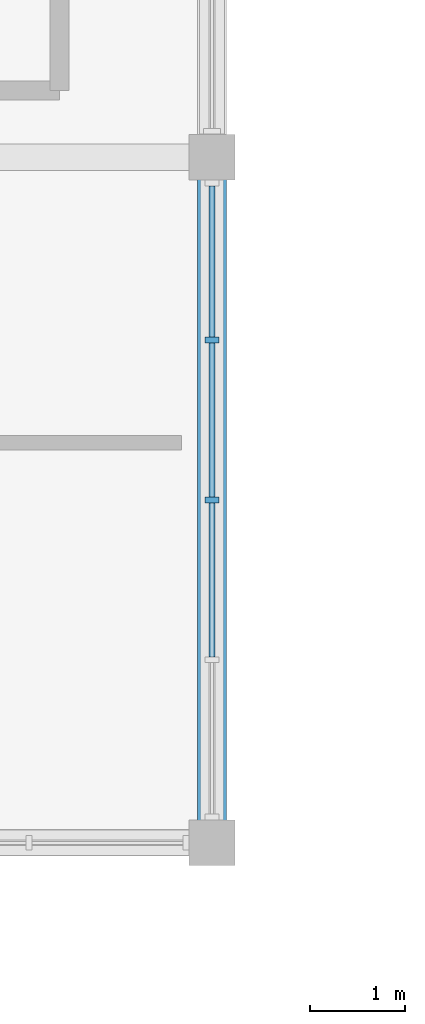
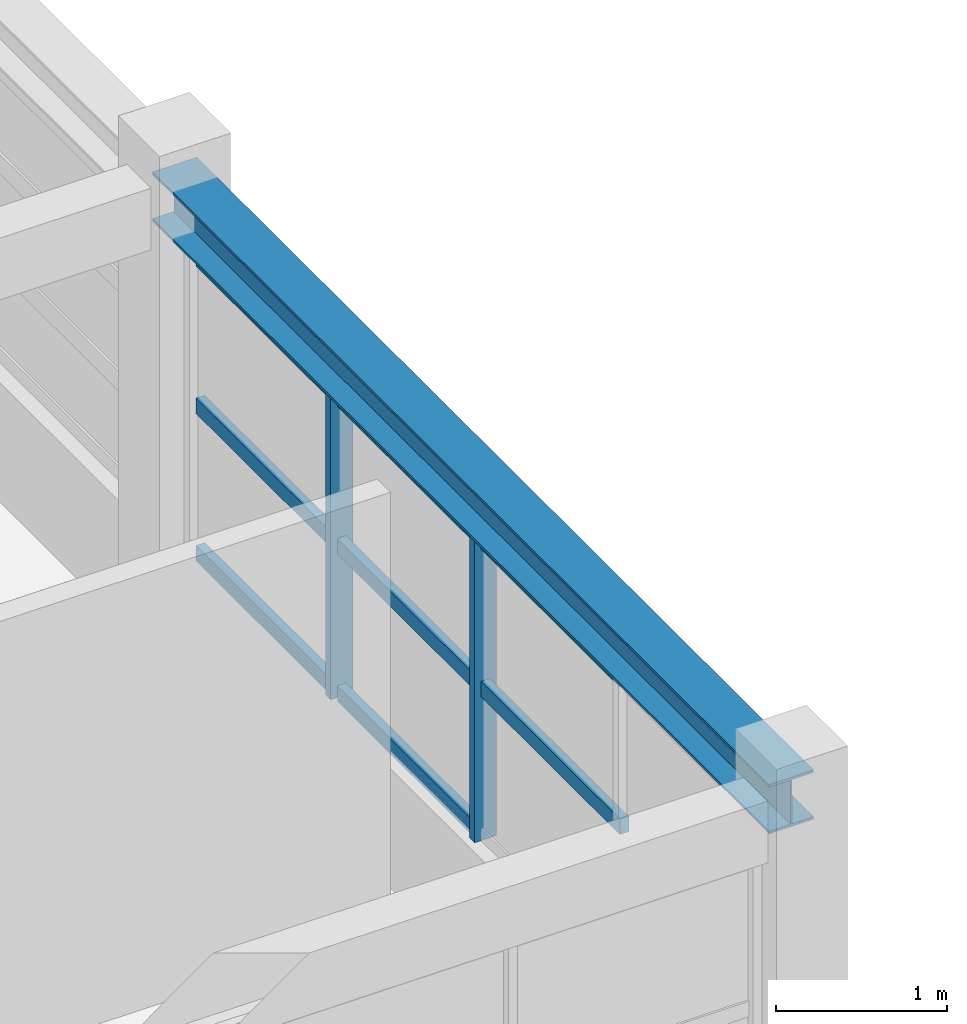
# One storey, part 10 of 53: 10 members, 1 beam, 1 element without a shape of its own.
"""IFC4 building model written with IfcOpenShell, lengths in metres."""

from ifc_helpers import new_model, si_unit, direction, frame, origin, origin_2d, place, context, subcontext, project, spatial, rectangle, i_section, extrude, material, material_profile, profile_set, type_object, element, aggregate, save


model = new_model("IFC4")

# Units and contexts
model_context = context("Model", 3, precision=1e-05, world=origin(), true_north=direction((0.0, 1.0)))
body_context = subcontext(model_context, "Body", "Model", "MODEL_VIEW")
ifc_project = project(units=[si_unit("LENGTHUNIT", "METRE"), si_unit("AREAUNIT", "SQUARE_METRE"), si_unit("VOLUMEUNIT", "CUBIC_METRE"), si_unit("PLANEANGLEUNIT", "RADIAN"), si_unit("MASSUNIT", "GRAM", prefix="KILO")], contexts=[model_context])

# Site, building, storey
site_placement = place(None, origin())
site = spatial("IfcSite", under=ifc_project, at=site_placement, CompositionType="ELEMENT")
building_placement = place(site_placement, origin())
building = spatial("IfcBuilding", under=site, at=building_placement, Name="Nzembalo Square Collegiate School", CompositionType="ELEMENT")
storey_placement = place(building_placement, frame((0.0, 0.0, 13.60009765625)))
storey = spatial("IfcBuildingStorey", under=building, at=storey_placement, Name="L03", CompositionType="ELEMENT", Elevation=13.60009765625)

# Beam
ifc_material_1 = material(Name="Steel S355", Category="steel")
ifc_material_profile_1 = material_profile(ifc_material_1, i_section(OverallWidth=0.300048828125, OverallDepth=0.35009765625, WebThickness=0.010009765625, FlangeThickness=0.017578125, at=origin_2d()), Name="HEA 360")
ifc_profile_set_1 = profile_set([ifc_material_profile_1], Name="Steel S355")
beam_type = type_object("IfcBeamType", Name="B12", PredefinedType="BEAM", material=ifc_profile_set_1)
beam_placement = place(storey_placement, frame((91.199951171875, 97.199951171875, 3.27978515625), z_axis=(0.0, 1.0, 0.0), x_axis=(-1.0, 0.0, 0.0)))
element("IfcBeam", 1, at=beam_placement, inside=storey, type_object=beam_type, Name="Beam B12 L03", PredefinedType="BEAM", context=body_context, shape_type="SweptSolid", body=[
    extrude(i_section(OverallWidth=0.300048828125, OverallDepth=0.35009765625, WebThickness=0.010009765625, FlangeThickness=0.017578125, at=origin_2d()), origin(), (0.0, 0.0, 1.0), 7.199951171875),
])

# Curtain wall, members
ifc_material_2 = material(Name="Aluminium 6060-T66", Category="aluminium")
curtain_wall_type = type_object("IfcCurtainWallType", Name="CW-04", PredefinedType="USERDEFINED", material=ifc_material_2)
curtain_wall_placement = place(storey_placement, origin())
curtain_wall = element("IfcCurtainWall", 2, at=curtain_wall_placement, inside=storey, type_object=curtain_wall_type, Name="Curtain wall CW-04 cw:L03:131", ObjectType="UNITISED", PredefinedType="USERDEFINED")
ifc_material_3 = material(Name="Aluminium 6060-T66", Category="aluminium")
ifc_material_profile_2 = material_profile(ifc_material_3, rectangle(XDim=0.06005859375, YDim=0.14990234375, at=origin_2d()), Name="ALU M60x150")
ifc_profile_set_2 = profile_set([ifc_material_profile_2], Name="Aluminium 6060-T66")
member_type_1 = type_object("IfcMemberType", Name="ML02", PredefinedType="MULLION", material=ifc_profile_set_2)
member_1_placement = place(storey_placement, frame((91.199951171875, 100.800048828125, 0.849853515625), z_axis=(0.0, 0.0, 1.0), x_axis=(0.0, 1.0, 0.0)))
member_1 = element("IfcMember", 3, at=member_1_placement, type_object=member_type_1, Name="ML02 mullion 3", PredefinedType="MULLION", context=body_context, shape_type="SweptSolid", body=[
    extrude(rectangle(XDim=0.06005859375, YDim=0.14990234375, at=origin_2d()), origin(), (0.0, 0.0, 1.0), 2.158935546875),
])
member_2_placement = place(storey_placement, frame((91.199951171875, 102.47900390625, 0.849853515625), z_axis=(0.0, 0.0, 1.0), x_axis=(0.0, 1.0, 0.0)))
member_2 = element("IfcMember", 4, at=member_2_placement, type_object=member_type_1, Name="ML02 mullion 4", PredefinedType="MULLION", context=body_context, shape_type="SweptSolid", body=[
    extrude(rectangle(XDim=0.06005859375, YDim=0.14990234375, at=origin_2d()), origin(), (0.0, 0.0, 1.0), 2.158935546875),
])
ifc_material_4 = material(Name="Aluminium 6060-T66", Category="aluminium")
ifc_material_profile_3 = material_profile(ifc_material_4, rectangle(XDim=0.06005859375, YDim=0.110107421875, at=origin_2d()), Name="ALU T60x110")
ifc_profile_set_3 = profile_set([ifc_material_profile_3], Name="Aluminium 6060-T66")
member_type_2 = type_object("IfcMemberType", Name="TR02", PredefinedType="USERDEFINED", material=ifc_profile_set_3)
member_3_placement = place(storey_placement, frame((91.199951171875, 100.830078125, 0.8798828125), z_axis=(0.0, 1.0, 0.0), x_axis=(-1.0, 0.0, 0.0)))
member_3 = element("IfcMember", 5, at=member_3_placement, type_object=member_type_2, Name="TR02 transom 1-3", ObjectType="TRANSOM", PredefinedType="USERDEFINED", context=body_context, shape_type="SweptSolid", body=[
    extrude(rectangle(XDim=0.06005859375, YDim=0.110107421875, at=origin_2d()), origin(), (0.0, 0.0, 1.0), 1.618896484375),
])
member_4_placement = place(storey_placement, frame((91.199951171875, 102.509033203125, 0.8798828125), z_axis=(0.0, 1.0, 0.0), x_axis=(-1.0, 0.0, 0.0)))
member_4 = element("IfcMember", 6, at=member_4_placement, type_object=member_type_2, Name="TR02 transom 1-4", ObjectType="TRANSOM", PredefinedType="USERDEFINED", context=body_context, shape_type="SweptSolid", body=[
    extrude(rectangle(XDim=0.06005859375, YDim=0.110107421875, at=origin_2d()), origin(), (0.0, 0.0, 1.0), 1.5888671875),
])
member_5_placement = place(storey_placement, frame((91.199951171875, 99.15087890625, 1.929443359375), z_axis=(0.0, 1.0, 0.0), x_axis=(-1.0, 0.0, 0.0)))
member_5 = element("IfcMember", 7, at=member_5_placement, type_object=member_type_2, Name="TR02 transom 2-2", ObjectType="TRANSOM", PredefinedType="USERDEFINED", context=body_context, shape_type="SweptSolid", body=[
    extrude(rectangle(XDim=0.06005859375, YDim=0.110107421875, at=origin_2d()), origin(), (0.0, 0.0, 1.0), 1.619140625),
])
member_6_placement = place(storey_placement, frame((91.199951171875, 100.830078125, 1.929443359375), z_axis=(0.0, 1.0, 0.0), x_axis=(-1.0, 0.0, 0.0)))
member_6 = element("IfcMember", 8, at=member_6_placement, type_object=member_type_2, Name="TR02 transom 2-3", ObjectType="TRANSOM", PredefinedType="USERDEFINED", context=body_context, shape_type="SweptSolid", body=[
    extrude(rectangle(XDim=0.06005859375, YDim=0.110107421875, at=origin_2d()), origin(), (0.0, 0.0, 1.0), 1.618896484375),
])
member_7_placement = place(storey_placement, frame((91.199951171875, 102.509033203125, 1.929443359375), z_axis=(0.0, 1.0, 0.0), x_axis=(-1.0, 0.0, 0.0)))
member_7 = element("IfcMember", 9, at=member_7_placement, type_object=member_type_2, Name="TR02 transom 2-4", ObjectType="TRANSOM", PredefinedType="USERDEFINED", context=body_context, shape_type="SweptSolid", body=[
    extrude(rectangle(XDim=0.06005859375, YDim=0.110107421875, at=origin_2d()), origin(), (0.0, 0.0, 1.0), 1.5888671875),
])
member_8_placement = place(storey_placement, frame((91.199951171875, 99.15087890625, 2.97900390625), z_axis=(0.0, 1.0, 0.0), x_axis=(-1.0, 0.0, 0.0)))
member_8 = element("IfcMember", 10, at=member_8_placement, type_object=member_type_2, Name="TR02 transom 3-2", ObjectType="TRANSOM", PredefinedType="USERDEFINED", context=body_context, shape_type="SweptSolid", body=[
    extrude(rectangle(XDim=0.06005859375, YDim=0.110107421875, at=origin_2d()), origin(), (0.0, 0.0, 1.0), 1.619140625),
])
member_9_placement = place(storey_placement, frame((91.199951171875, 100.830078125, 2.97900390625), z_axis=(0.0, 1.0, 0.0), x_axis=(-1.0, 0.0, 0.0)))
member_9 = element("IfcMember", 11, at=member_9_placement, type_object=member_type_2, Name="TR02 transom 3-3", ObjectType="TRANSOM", PredefinedType="USERDEFINED", context=body_context, shape_type="SweptSolid", body=[
    extrude(rectangle(XDim=0.06005859375, YDim=0.110107421875, at=origin_2d()), origin(), (0.0, 0.0, 1.0), 1.618896484375),
])
member_10_placement = place(storey_placement, frame((91.199951171875, 102.509033203125, 2.97900390625), z_axis=(0.0, 1.0, 0.0), x_axis=(-1.0, 0.0, 0.0)))
member_10 = element("IfcMember", 12, at=member_10_placement, type_object=member_type_2, Name="TR02 transom 3-4", ObjectType="TRANSOM", PredefinedType="USERDEFINED", context=body_context, shape_type="SweptSolid", body=[
    extrude(rectangle(XDim=0.06005859375, YDim=0.110107421875, at=origin_2d()), origin(), (0.0, 0.0, 1.0), 1.5888671875),
])
aggregate(curtain_wall, [member_1, member_2, member_3, member_4, member_5, member_6, member_7, member_8, member_9, member_10])

save(model, "model.ifc")
